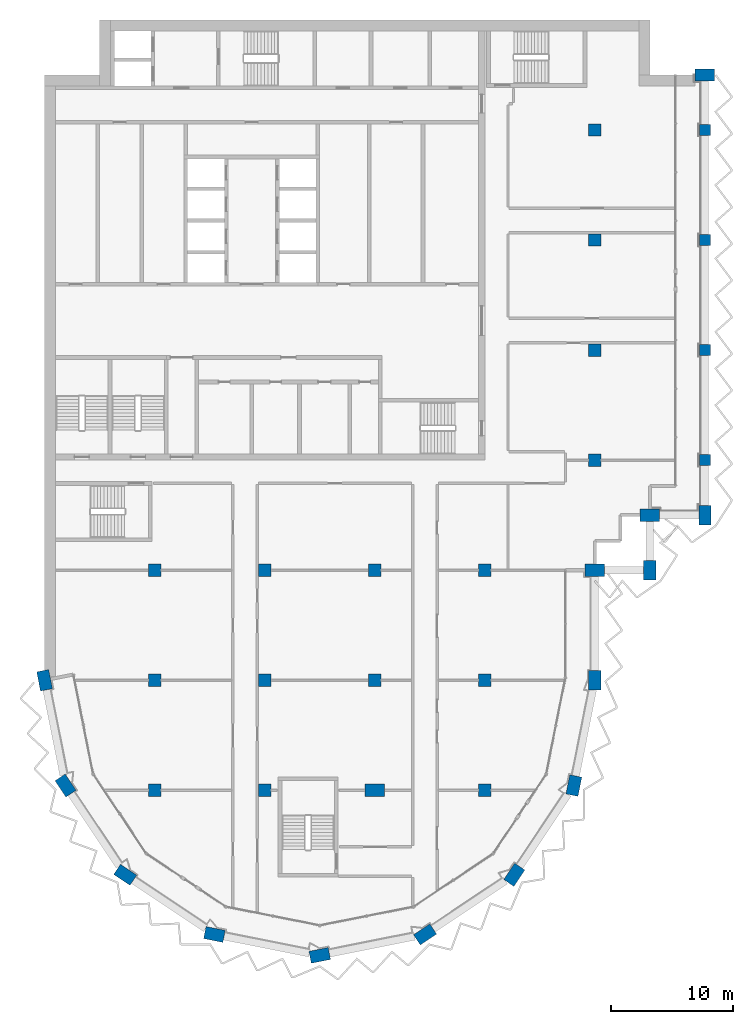
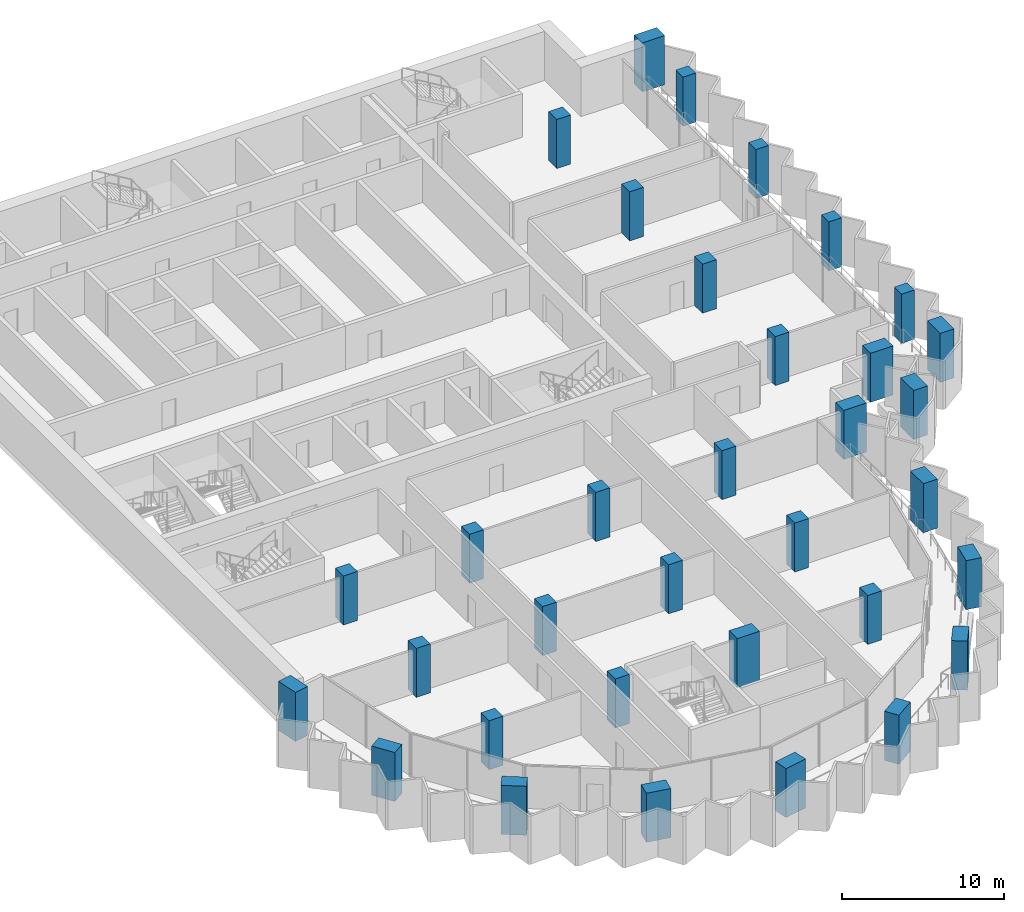
# One storey, part 1 of 16: 34 columns.
"""IFC4 building model written with IfcOpenShell, lengths in metres."""

from ifc_helpers import new_model, si_unit, direction, frame, origin, origin_2d, place, context, subcontext, project, spatial, rectangle, extrude, material, material_profile, profile_set, type_object, element, save


model = new_model("IFC4")

# Units and contexts
model_context = context("Model", 3, precision=1e-05, world=origin(), true_north=direction((0.0, 1.0)))
body_context = subcontext(model_context, "Body", "Model", "MODEL_VIEW")
ifc_project = project(units=[si_unit("LENGTHUNIT", "METRE"), si_unit("AREAUNIT", "SQUARE_METRE"), si_unit("VOLUMEUNIT", "CUBIC_METRE"), si_unit("PLANEANGLEUNIT", "RADIAN"), si_unit("MASSUNIT", "GRAM", prefix="KILO")], contexts=[model_context])

# Site, building, storey
site_placement = place(None, origin())
site = spatial("IfcSite", under=ifc_project, at=site_placement, CompositionType="ELEMENT")
building_placement = place(site_placement, origin())
building = spatial("IfcBuilding", under=site, at=building_placement, Name="Hunhe Ridgeline Campus", CompositionType="ELEMENT")
storey_placement = place(building_placement, frame((0.0, 0.0, 246.60009765625)))
storey = spatial("IfcBuildingStorey", under=building, at=storey_placement, Name="L63", CompositionType="ELEMENT", Elevation=246.60009765625)

# Columns
ifc_material = material(Name="Concrete C60", Category="concrete")
ifc_material_profile_1 = material_profile(ifc_material, rectangle(XDim=1.60009765625, YDim=1.0, at=origin_2d()))
ifc_profile_set_1 = profile_set([ifc_material_profile_1], Name="Concrete C60")
column_type_1 = type_object("IfcColumnType", Name="Megacolumn 1600x1000 Concrete C60", PredefinedType="COLUMN", material=ifc_profile_set_1)
for number, where, z_axis, x_axis, name in (
    (1, (22.5, 22.5, 0.0), (0.0, 0.0, 1.0), (0.980785280403, 0.195090322016, 0.0), "Column C14 R13 L63"),
    (2, (13.8896484375, 24.212646484375, 0.0), (0.0, 0.0, 1.0), (-0.980785280403, 0.195090322016, 0.0), "Column C14 R14 L63"),
    (3, (31.1103515625, 24.212646484375, 0.0), (0.0, 0.0, 1.0), (0.831469612303, 0.55557023302, 0.0), "Column C14 R15 L63"),
    (4, (6.590087890625, 29.090087890625, 0.0), (0.0, 0.0, 1.0), (-0.831469612303, 0.55557023302, 0.0), "Column C14 R18 L63"),
    (5, (38.409912109375, 29.090087890625, 0.0), (0.0, 0.0, 1.0), (0.55557023302, 0.831469612303, 0.0), "Column C14 R19 L63"),
    (6, (1.712646484375, 36.3896484375, 0.0), (0.0, 0.0, 1.0), (-0.55557023302, 0.831469612303, 0.0), "Column C14 R23 L63"),
    (7, (43.287353515625, 36.3896484375, 0.0), (0.0, 0.0, 1.0), (0.195090322016, 0.980785280403, 0.0), "Column C14 R24 L63"),
    (8, (0.0, 45.0, 0.0), (0.0, 0.0, 1.0), (-0.195090322016, 0.980785280403, 0.0), "Column C14 F1 L63"),
    (9, (45.0, 45.0, 0.0), (0.0, 0.0, 1.0), (0.0, 1.0, 0.0), "Column C14 F6 L63"),
    (10, (45.0, 54.0, 0.0), (0.0, 0.0, 1.0), (1.0, 0.0, 0.0), "Column C14 G6 L63"),
    (11, (49.5, 54.0, 0.0), (0.0, 0.0, 1.0), (0.0, 1.0, 0.0), "Column C14 R29 L63"),
    (12, (49.5, 58.5, 0.0), (0.0, 0.0, 1.0), (1.0, 0.0, 0.0), "Column C14 R33 L63"),
    (13, (54.0, 58.5, 0.0), (0.0, 0.0, 1.0), (0.0, 1.0, 0.0), "Column C14 R34 L63"),
    (14, (54.0, 94.5, 0.0), (0.0, 0.0, 1.0), (1.0, 0.0, 0.0), "Column C14 R41 L63"),
    (15, (27.0, 36.0, 0.0), (0.0, 0.0, 1.0), (1.0, 0.0, 0.0), "Column C14 E4 L63"),
):
    element("IfcColumn", number, at=place(storey_placement, frame(where, z_axis=z_axis, x_axis=x_axis)), inside=storey, type_object=column_type_1, Name=name, PredefinedType="COLUMN", context=body_context, shape_type="SweptSolid", body=[
        extrude(rectangle(XDim=1.60009765625, YDim=1.0, at=origin_2d()), origin(), (0.0, 0.0, 1.0), 3.699951171875),
    ])
ifc_material_profile_2 = material_profile(ifc_material, rectangle(XDim=1.0, YDim=1.0, at=origin_2d()))
ifc_profile_set_2 = profile_set([ifc_material_profile_2], Name="Concrete C60")
column_type_2 = type_object("IfcColumnType", Name="RC column 1000x1000 Concrete C60", PredefinedType="COLUMN", material=ifc_profile_set_2)
for number, where, z_axis, x_axis, name in (
    (16, (9.0, 36.0, 0.0), (0.0, 0.0, 1.0), (1.0, 0.0, 0.0), "Column C12 E2 L63"),
    (17, (9.0, 45.0, 0.0), (0.0, 0.0, 1.0), (1.0, 0.0, 0.0), "Column C12 F2 L63"),
    (18, (9.0, 54.0, 0.0), (0.0, 0.0, 1.0), (1.0, 0.0, 0.0), "Column C12 G2 L63"),
    (19, (18.0, 36.0, 0.0), (0.0, 0.0, 1.0), (1.0, 0.0, 0.0), "Column C12 E3 L63"),
    (20, (18.0, 45.0, 0.0), (0.0, 0.0, 1.0), (1.0, 0.0, 0.0), "Column C12 F3 L63"),
    (21, (18.0, 54.0, 0.0), (0.0, 0.0, 1.0), (1.0, 0.0, 0.0), "Column C12 G3 L63"),
    (22, (27.0, 45.0, 0.0), (0.0, 0.0, 1.0), (1.0, 0.0, 0.0), "Column C12 F4 L63"),
    (23, (27.0, 54.0, 0.0), (0.0, 0.0, 1.0), (1.0, 0.0, 0.0), "Column C12 G4 L63"),
    (24, (36.0, 36.0, 0.0), (0.0, 0.0, 1.0), (1.0, 0.0, 0.0), "Column C12 E5 L63"),
    (25, (36.0, 45.0, 0.0), (0.0, 0.0, 1.0), (1.0, 0.0, 0.0), "Column C12 F5 L63"),
    (26, (36.0, 54.0, 0.0), (0.0, 0.0, 1.0), (1.0, 0.0, 0.0), "Column C12 G5 L63"),
    (27, (45.0, 63.0, 0.0), (0.0, 0.0, 1.0), (1.0, 0.0, 0.0), "Column C12 H6 L63"),
    (28, (45.0, 72.0, 0.0), (0.0, 0.0, 1.0), (1.0, 0.0, 0.0), "Column C12 I6 L63"),
    (29, (45.0, 81.0, 0.0), (0.0, 0.0, 1.0), (1.0, 0.0, 0.0), "Column C12 J6 L63"),
    (30, (45.0, 90.0, 0.0), (0.0, 0.0, 1.0), (1.0, 0.0, 0.0), "Column C12 K6 L63"),
):
    element("IfcColumn", number, at=place(storey_placement, frame(where, z_axis=z_axis, x_axis=x_axis)), inside=storey, type_object=column_type_2, Name=name, PredefinedType="COLUMN", context=body_context, shape_type="SweptSolid", body=[
        extrude(rectangle(XDim=1.0, YDim=1.0, at=origin_2d()), origin(), (0.0, 0.0, 1.0), 3.699951171875),
    ])
ifc_material_profile_3 = material_profile(ifc_material, rectangle(XDim=0.89990234375, YDim=0.89990234375, at=origin_2d()))
ifc_profile_set_3 = profile_set([ifc_material_profile_3], Name="Concrete C60")
column_type_3 = type_object("IfcColumnType", Name="RC column 900x900 Concrete C60", PredefinedType="COLUMN", material=ifc_profile_set_3)
for number, where, z_axis, x_axis, name in (
    (31, (54.0, 63.0, 0.0), (0.0, 0.0, 1.0), (1.0, 0.0, 0.0), "Column C15 H7 L63"),
    (32, (54.0, 72.0, 0.0), (0.0, 0.0, 1.0), (1.0, 0.0, 0.0), "Column C15 I7 L63"),
    (33, (54.0, 81.0, 0.0), (0.0, 0.0, 1.0), (1.0, 0.0, 0.0), "Column C15 J7 L63"),
    (34, (54.0, 90.0, 0.0), (0.0, 0.0, 1.0), (1.0, 0.0, 0.0), "Column C15 K7 L63"),
):
    element("IfcColumn", number, at=place(storey_placement, frame(where, z_axis=z_axis, x_axis=x_axis)), inside=storey, type_object=column_type_3, Name=name, PredefinedType="COLUMN", context=body_context, shape_type="SweptSolid", body=[
        extrude(rectangle(XDim=0.89990234375, YDim=0.89990234375, at=origin_2d()), origin(), (0.0, 0.0, 1.0), 3.699951171875),
    ])

save(model, "model.ifc")
